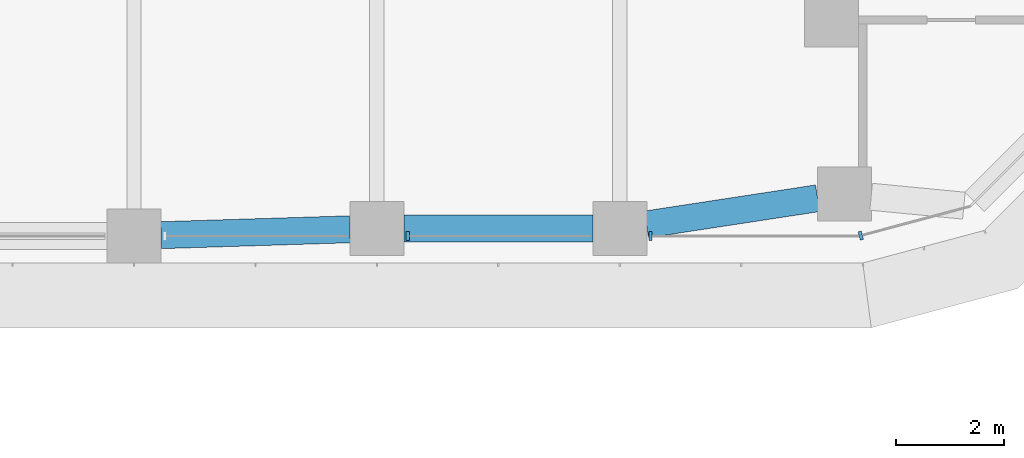
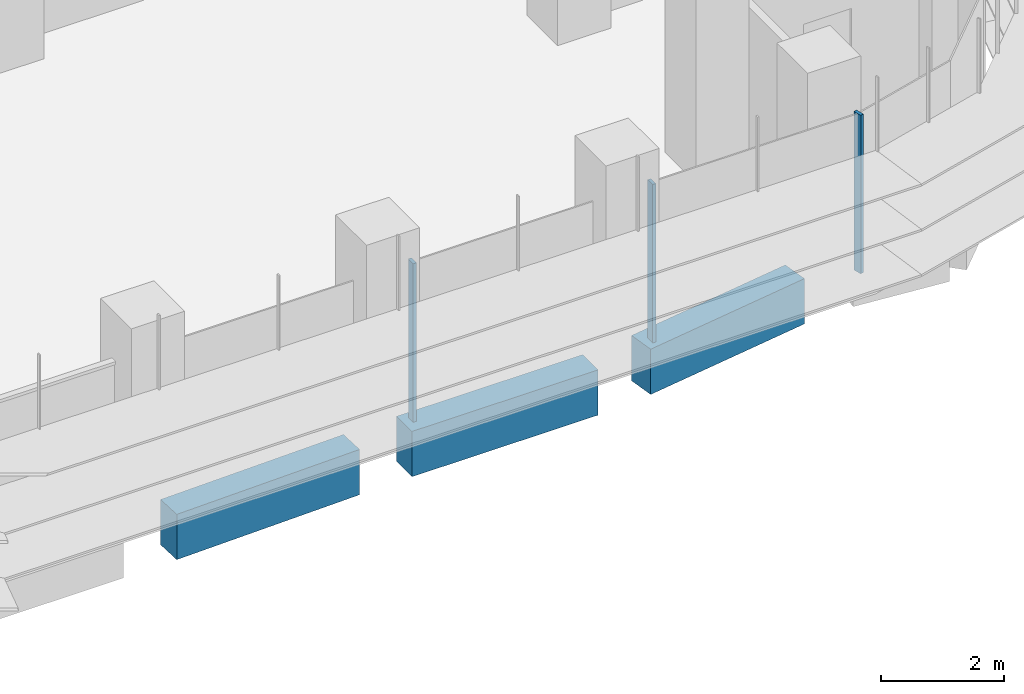
# One storey, part 5 of 23: 3 beams, 3 members, 2 elements without a shape of their own.
"""IFC4 building model written with IfcOpenShell, lengths in metres."""

import ifcopenshell
import ifcopenshell.guid

model = None  # the IFC model being written
_history = None  # IfcOwnerHistory: only IFC2X3 demands one
_inside = {}  # id of a spatial element -> (the spatial element, [elements in it])
_under = {}  # id of a project, library or spatial element -> (it, [spatial elements below it])
_declared = {}  # id of a project -> (the project, [libraries it declares])
_typed = {}  # id of a type object -> (the type object, [elements of that type])
_made_of = {}  # id of a material, layer set ... -> (it, [elements and type objects made of it])


def new_model(schema):
    """Start an empty IFC model of exactly this schema.

    Asked for "IFC4X3", IfcOpenShell would pick the latest addendum, in which some entities
    have other attributes; the version numbers below select the first issue.
    IFC2X3 requires an IfcOwnerHistory on every rooted entity: one is made here for all.
    """
    global model, _history
    if schema == "IFC4X3":
        model = ifcopenshell.file(schema_version=(4, 3, 0, 0))
    else:
        model = ifcopenshell.file(schema=schema)
    _inside.clear()
    _under.clear()
    _declared.clear()
    _typed.clear()
    _made_of.clear()
    _history = None
    if model.schema == "IFC2X3":
        org = make("IfcOrganization", Name="unknown")
        user = make(
            "IfcPersonAndOrganization",
            ThePerson=make("IfcPerson", FamilyName="unknown"),
            TheOrganization=org,
        )
        app = make(
            "IfcApplication",
            ApplicationDeveloper=org,
            Version="unknown",
            ApplicationFullName="unknown",
            ApplicationIdentifier="unknown",
        )
        _history = make(
            "IfcOwnerHistory",
            OwningUser=user,
            OwningApplication=app,
            ChangeAction="ADDED",
            CreationDate=0,
        )
    return model


def make(cls, **values):
    """One entity of the class cls with the attributes given. An attribute that is None is left unset."""
    return model.create_entity(
        cls, **{name: value for name, value in values.items() if value is not None}
    )


def rooted(cls, **values):
    """An entity with a GlobalId (a new one), such as an element, a storey or a relation."""
    return make(cls, GlobalId=ifcopenshell.guid.new(), OwnerHistory=_history, **values)


def si_unit(unit_type, name, prefix=None):
    """IfcSIUnit, for example si_unit("LENGTHUNIT", "METRE", prefix="MILLI")."""
    return make("IfcSIUnit", UnitType=unit_type, Prefix=prefix, Name=name)


def assignment(units):
    """IfcUnitAssignment: the units of a project."""
    return None if units is None else make("IfcUnitAssignment", Units=units)


def point(xyz):
    """IfcCartesianPoint."""
    return None if xyz is None else make("IfcCartesianPoint", Coordinates=xyz)


def direction(xyz):
    """IfcDirection."""
    return None if xyz is None else make("IfcDirection", DirectionRatios=xyz)


def frame(location, z_axis=None, x_axis=None):
    """IfcAxis2Placement3D, a coordinate frame: its origin and axes. An axis left out is left unset."""
    return make(
        "IfcAxis2Placement3D",
        Location=point(location),
        Axis=direction(z_axis),
        RefDirection=direction(x_axis),
    )


def frame_2d(location, x_axis=None):
    """IfcAxis2Placement2D, a coordinate frame in the plane: its origin and x axis."""
    return make(
        "IfcAxis2Placement2D", Location=point(location), RefDirection=direction(x_axis)
    )


def origin():
    """The frame at (0, 0, 0) with its axes left unset."""
    return frame((0.0, 0.0, 0.0))


def origin_2d():
    """The frame at (0, 0) in the plane with its x axis left unset."""
    return frame_2d((0.0, 0.0))


def place(relative_to, where):
    """IfcLocalPlacement: puts the frame where relative to a parent placement (None: the world)."""
    return make(
        "IfcLocalPlacement", PlacementRelTo=relative_to, RelativePlacement=where
    )


def context(
    kind, dimensions, precision=None, world=None, true_north=None, identifier=None
):
    """IfcGeometricRepresentationContext, for example the 3D "Model" context."""
    return make(
        "IfcGeometricRepresentationContext",
        ContextIdentifier=identifier,
        ContextType=kind,
        CoordinateSpaceDimension=dimensions,
        Precision=precision,
        WorldCoordinateSystem=world,
        TrueNorth=true_north,
    )


def subcontext(parent, identifier, kind, view, scale=None):
    """IfcGeometricRepresentationSubContext, for example "Body" below "Model"."""
    return make(
        "IfcGeometricRepresentationSubContext",
        ContextIdentifier=identifier,
        ContextType=kind,
        ParentContext=parent,
        TargetScale=scale,
        TargetView=view,
    )


def project(units=None, contexts=None):
    """IfcProject with its units and contexts."""
    return rooted(
        "IfcProject",
        Name="project",
        RepresentationContexts=contexts,
        UnitsInContext=assignment(units),
    )


def spatial(cls, under=None, at=None, **own):
    """A site, building, storey or space (cls), placed at a placement, below another one or the project."""
    s = rooted(cls, ObjectPlacement=at, **own)
    if under is not None:
        _under.setdefault(under.id(), (under, []))[1].append(s)
    return s


def polyline(points):
    """IfcPolyline through the points."""
    return make("IfcPolyline", Points=[point(p) for p in points])


def profile(cls, at=None, kind="AREA", **sizes):
    """A parametric profile (cls). Its sizes go by their IFC names, for example OverallWidth=200.0."""
    return make(cls, ProfileType=kind, Position=at, **sizes)


def rectangle(**sizes):
    """IfcRectangleProfileDef."""
    return profile("IfcRectangleProfileDef", **sizes)


def outline(outer, holes=None, kind="AREA"):
    """IfcArbitraryClosedProfileDef: a profile drawn as a closed curve; with holes, ...WithVoids."""
    if holes is None:
        return make("IfcArbitraryClosedProfileDef", ProfileType=kind, OuterCurve=outer)
    return make(
        "IfcArbitraryProfileDefWithVoids",
        ProfileType=kind,
        OuterCurve=outer,
        InnerCurves=holes,
    )


def extrude(swept, where, along, depth):
    """IfcExtrudedAreaSolid: the profile swept, set in the frame where, extruded along a direction by depth."""
    return make(
        "IfcExtrudedAreaSolid",
        SweptArea=swept,
        Position=where,
        ExtrudedDirection=direction(along),
        Depth=depth,
    )


def shape(context_of_items, identifier, shape_type, items):
    """IfcShapeRepresentation: the items that make up one representation, for example the "Body"."""
    return make(
        "IfcShapeRepresentation",
        ContextOfItems=context_of_items,
        RepresentationIdentifier=identifier,
        RepresentationType=shape_type,
        Items=items,
    )


def source(mapping_origin, context_of_items, identifier, shape_type, items):
    """IfcRepresentationMap: a shape defined once, which mapped items show again and again."""
    return make(
        "IfcRepresentationMap",
        MappingOrigin=mapping_origin,
        MappedRepresentation=shape(context_of_items, identifier, shape_type, items),
    )


def transform(
    local_origin,
    x_axis=None,
    y_axis=None,
    z_axis=None,
    scale=None,
    scale2=None,
    scale3=None,
    uniform=True,
):
    """IfcCartesianTransformationOperator3D, or its non-uniform kind. x_axis, y_axis, z_axis: its Axis1, 2, 3."""
    if uniform:
        return make(
            "IfcCartesianTransformationOperator3D",
            Axis1=direction(x_axis),
            Axis2=direction(y_axis),
            LocalOrigin=point(local_origin),
            Scale=scale,
            Axis3=direction(z_axis),
        )
    return make(
        "IfcCartesianTransformationOperator3DnonUniform",
        Axis1=direction(x_axis),
        Axis2=direction(y_axis),
        LocalOrigin=point(local_origin),
        Scale=scale,
        Axis3=direction(z_axis),
        Scale2=scale2,
        Scale3=scale3,
    )


def mapped(mapping_source, mapping_target):
    """IfcMappedItem: shows the shape of a source again, moved by a transform."""
    return make(
        "IfcMappedItem", MappingSource=mapping_source, MappingTarget=mapping_target
    )


def material(Name=None, Category=None):
    """IfcMaterial."""
    return make("IfcMaterial", Name=Name, Category=Category)


def material_profile(
    of_material, cross_section, Name=None, Category=None, Priority=None
):
    """IfcMaterialProfile: a cross section and its material."""
    return make(
        "IfcMaterialProfile",
        Name=Name,
        Material=of_material,
        Profile=cross_section,
        Priority=Priority,
        Category=Category,
    )


def profile_set(profiles, Name=None, composite=None):
    """IfcMaterialProfileSet."""
    return make(
        "IfcMaterialProfileSet",
        Name=Name,
        MaterialProfiles=profiles,
        CompositeProfile=composite,
    )


def made_of(thing, what):
    """Note that an element or type object is made of a material, layer set ...; save() writes the relation."""
    if what is not None:
        _made_of.setdefault(what.id(), (what, []))[1].append(thing)
    return thing


def type_object(cls, material=None, **own):
    """A type object (cls), such as IfcWallType, which elements share."""
    return made_of(rooted(cls, **own), material)


def element(
    cls,
    number,
    at=None,
    inside=None,
    cuts=None,
    type_object=None,
    material=None,
    context=None,
    identifier="Body",
    shape_type=None,
    held_by="IfcProductDefinitionShape",
    body=None,
    shapes=None,
    **own,
):
    """One element of the class cls, such as IfcWall. Its Tag is "e" and its number.

    at: its placement. inside: the storey or other place that contains it. cuts: it is an
    opening in that element (IfcRelVoidsElement). A single representation is given by context,
    identifier, shape_type and body (its items); several are given by shapes. held_by: the class
    of the entity that holds the representations. save() writes the other relations.
    """
    e = rooted(cls, Tag="e%d" % number, ObjectPlacement=at, **own)
    if body is not None:
        shapes = [shape(context, identifier, shape_type, body)]
    if shapes is not None:
        e.Representation = make(held_by, Representations=shapes)
    if inside is not None:
        _inside.setdefault(inside.id(), (inside, []))[1].append(e)
    if cuts is not None:
        rooted(
            "IfcRelVoidsElement", RelatingBuildingElement=cuts, RelatedOpeningElement=e
        )
    if type_object is not None:
        _typed.setdefault(type_object.id(), (type_object, []))[1].append(e)
    return made_of(e, material)


def aggregate(whole, parts):
    """IfcRelAggregates: a whole, such as a stair, and the parts it consists of."""
    return rooted("IfcRelAggregates", RelatingObject=whole, RelatedObjects=parts)


def save(model, path):
    """Write the relations noted so far, then the file.

    IfcRelAggregates (storeys below a building ...), IfcRelContainedInSpatialStructure (elements
    in a storey), IfcRelDefinesByType, IfcRelAssociatesMaterial and IfcRelDeclares: one each for
    every whole, place, type object, material and project.
    """
    for whole, parts in _under.values():
        aggregate(whole, parts)
    for where, things in _inside.values():
        rooted(
            "IfcRelContainedInSpatialStructure",
            RelatedElements=things,
            RelatingStructure=where,
        )
    for kind, things in _typed.values():
        rooted("IfcRelDefinesByType", RelatedObjects=things, RelatingType=kind)
    for what, things in _made_of.values():
        rooted("IfcRelAssociatesMaterial", RelatedObjects=things, RelatingMaterial=what)
    for by, libraries in _declared.values():
        rooted("IfcRelDeclares", RelatingContext=by, RelatedDefinitions=libraries)
    model.write(path)


model = new_model("IFC4")

# Units and contexts
model_context = context("Model", 3, precision=1e-05, world=origin(), true_north=direction((0.0, 1.0)))
body_context = subcontext(model_context, "Body", "Model", "MODEL_VIEW")
ifc_project = project(units=[si_unit("LENGTHUNIT", "METRE"), si_unit("AREAUNIT", "SQUARE_METRE"), si_unit("VOLUMEUNIT", "CUBIC_METRE"), si_unit("PLANEANGLEUNIT", "RADIAN"), si_unit("MASSUNIT", "GRAM", prefix="KILO")], contexts=[model_context])

# Site, building, storey
site_placement = place(None, origin())
site = spatial("IfcSite", under=ifc_project, at=site_placement, CompositionType="ELEMENT")
building_placement = place(site_placement, origin())
building = spatial("IfcBuilding", under=site, at=building_placement, Name="Zarbagh Exchange Tower", CompositionType="ELEMENT")
storey_placement = place(building_placement, frame((0.0, 0.0, 56.39990234375)))
storey = spatial("IfcBuildingStorey", under=building, at=storey_placement, Name="L12", CompositionType="ELEMENT", Elevation=56.39990234375)

# Beams
ifc_material_1 = material(Name="Concrete C60/75", Category="concrete")
ifc_material_profile = material_profile(ifc_material_1, rectangle(XDim=0.5, YDim=0.89990234375, at=origin_2d()), Name="RC spandrel beam 500 x 900 C60/75")
ifc_profile_set = profile_set([ifc_material_profile], Name="Concrete C60/75")
beam_type = type_object("IfcBeamType", Name="RC spandrel beam 500 x 900 C60/75", PredefinedType="SPANDREL", material=ifc_profile_set)
beam_1_placement = place(storey_placement, frame((28.413818359375, -5.550537109375, -0.599853515625), z_axis=(-0.988545350976, -0.150924116903, 0.0), x_axis=(0.150924116903, -0.988545350976, 0.0)))
element("IfcBeam", 1, at=beam_1_placement, inside=storey, type_object=beam_type, Name="RC spandrel beam", PredefinedType="SPANDREL", context=body_context, shape_type="SweptSolid", body=[
    extrude(rectangle(XDim=0.5, YDim=0.89990234375, at=origin_2d()), origin(), (0.0, 0.0, 1.0), 3.2060546875),
])
beam_2_placement = place(storey_placement, frame((24.25, -6.110107421875, -0.599853515625), z_axis=(-1.0, 0.0, 0.0), x_axis=(0.0, -1.0, 0.0)))
element("IfcBeam", 2, at=beam_2_placement, inside=storey, type_object=beam_type, Name="RC spandrel beam", PredefinedType="SPANDREL", context=body_context, shape_type="SweptSolid", body=[
    extrude(rectangle(XDim=0.5, YDim=0.89990234375, at=origin_2d()), origin(), (0.0, 0.0, 1.0), 3.5),
])
beam_3_placement = place(storey_placement, frame((19.750244140625, -6.12548828125, -0.599853515625), z_axis=(-0.999514385708, -0.031160756759, 0.0), x_axis=(0.031160756759, -0.999514385708, 0.0)))
element("IfcBeam", 3, at=beam_3_placement, inside=storey, type_object=beam_type, Name="RC spandrel beam", PredefinedType="SPANDREL", context=body_context, shape_type="SweptSolid", body=[
    extrude(rectangle(XDim=0.5, YDim=0.89990234375, at=origin_2d()), origin(), (0.0, 0.0, 1.0), 3.502197265625),
])

# Curtain wall, members
ifc_material_2 = material(Name="Anodised aluminium frame and glazing", Category="aluminium")
curtain_wall_type = type_object("IfcCurtainWallType", Name="CWA Ribbon glazing, lower zones", PredefinedType="NOTDEFINED", material=ifc_material_2)
curtain_wall_1_placement = place(storey_placement, origin())
curtain_wall_1 = element("IfcCurtainWall", 4, at=curtain_wall_1_placement, inside=storey, type_object=curtain_wall_type, Name="CWA08 curtain wall", PredefinedType="NOTDEFINED")
ifc_material_3 = material(Name="Anodised aluminium frame", Category="aluminium")
member_type = type_object("IfcMemberType", Name="MUA Mullion, anodised aluminium frame", PredefinedType="MULLION", material=ifc_material_3)
shared_shape = source(origin(), body_context, "Body", "SweptSolid", [
    extrude(outline(polyline([(0.0, -0.080078125), (0.06005859375, -0.080078125), (0.06005859375, 0.080078125), (0.0, 0.080078125), (0.0, -0.080078125)])), origin(), (0.0, 0.0, 1.0), 3.14990234375),
])
placement = place(storey_placement, origin())
member_1 = element("IfcMember", 5, at=placement, type_object=member_type, Name="CWA08 mullion 3.1", PredefinedType="MULLION", context=body_context, shape_type="MappedRepresentation", body=[
    mapped(shared_shape, transform((20.7900390625, -6.25, 0.0), x_axis=(1.0, 0.0, 0.0), y_axis=(0.0, 1.0, 0.0), z_axis=(0.0, 0.0, 1.0))),
])
member_2 = element("IfcMember", 6, at=placement, type_object=member_type, Name="CWA08 mullion 4.1", PredefinedType="MULLION", context=body_context, shape_type="MappedRepresentation", body=[
    mapped(shared_shape, transform((25.2900390625, -6.25, 0.0), x_axis=(1.0, 0.0, 0.0), y_axis=(0.0, 1.0, 0.0), z_axis=(0.0, 0.0, 1.0))),
])
aggregate(curtain_wall_1, [member_1, member_2])

# Curtain wall, member
curtain_wall_2_placement = place(storey_placement, origin())
curtain_wall_2 = element("IfcCurtainWall", 7, at=curtain_wall_2_placement, inside=storey, type_object=curtain_wall_type, Name="CWA09 curtain wall", PredefinedType="NOTDEFINED")
member_3 = element("IfcMember", 8, at=placement, type_object=member_type, Name="CWA09 mullion 1.1", PredefinedType="MULLION", context=body_context, shape_type="MappedRepresentation", body=[
    mapped(shared_shape, transform((29.18408203125, -6.25, 0.0), x_axis=(0.965924289636, 0.258824779902, 0.0), y_axis=(-0.258824779902, 0.965924289636, 0.0), z_axis=(0.0, 0.0, 1.0))),
])
aggregate(curtain_wall_2, [member_3])

save(model, "model.ifc")
